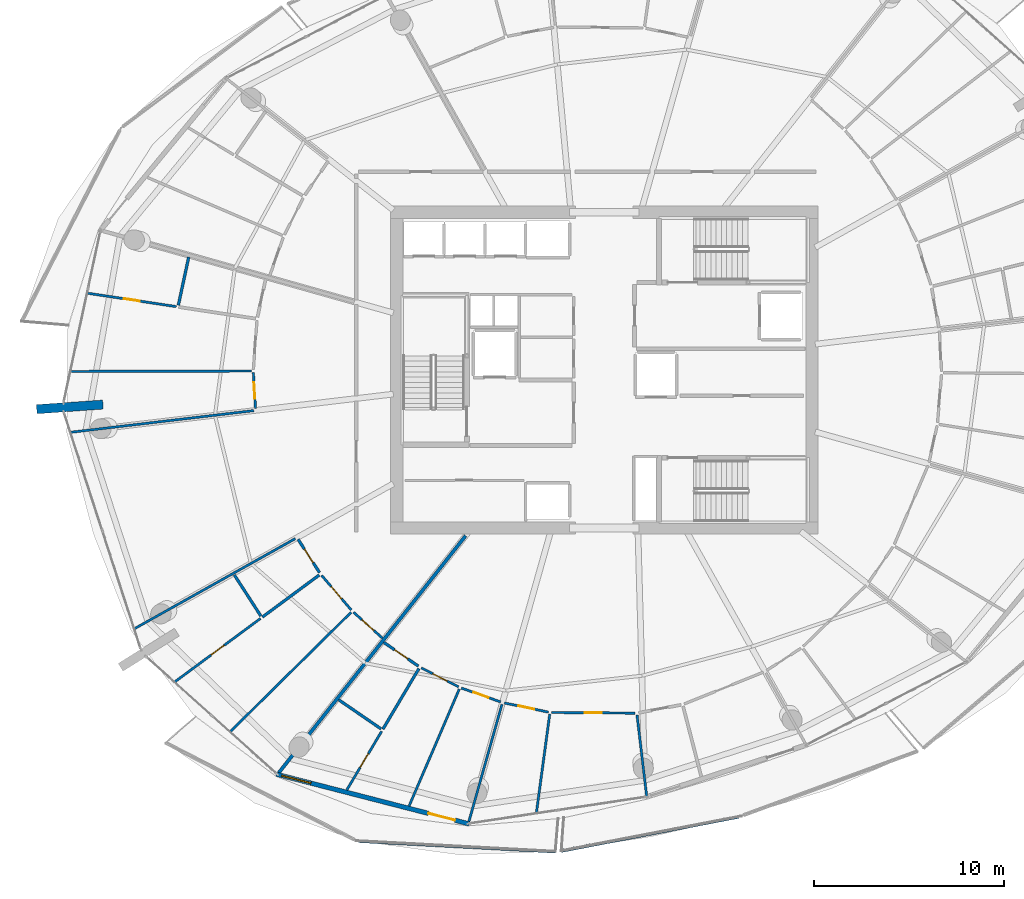
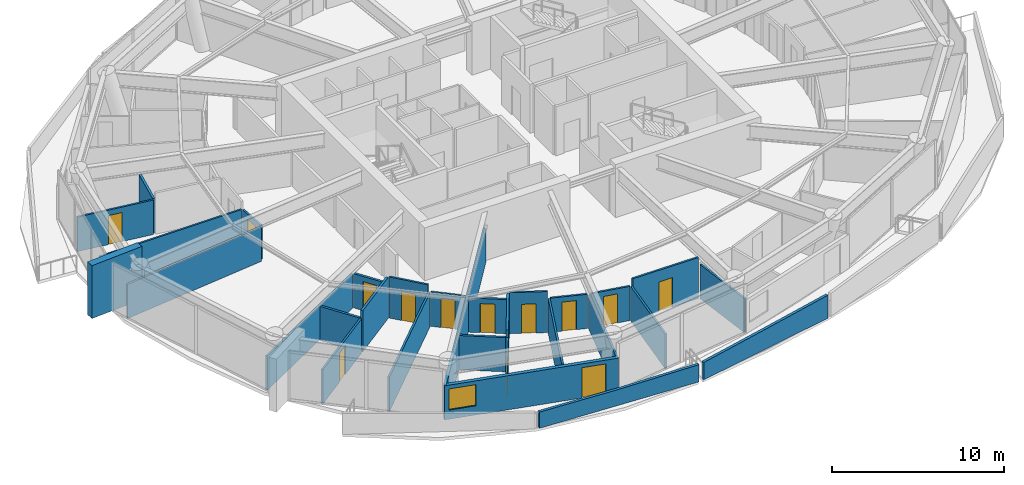
# One storey, part 10 of 20: 30 walls, 13 doors, 1 window, 14 openings.
"""IFC4 building model written with IfcOpenShell, lengths in metres."""

import ifcopenshell
import ifcopenshell.guid

model = None  # the IFC model being written
_history = None  # IfcOwnerHistory: only IFC2X3 demands one
_inside = {}  # id of a spatial element -> (the spatial element, [elements in it])
_under = {}  # id of a project, library or spatial element -> (it, [spatial elements below it])
_declared = {}  # id of a project -> (the project, [libraries it declares])
_typed = {}  # id of a type object -> (the type object, [elements of that type])
_made_of = {}  # id of a material, layer set ... -> (it, [elements and type objects made of it])


def new_model(schema):
    """Start an empty IFC model of exactly this schema.

    Asked for "IFC4X3", IfcOpenShell would pick the latest addendum, in which some entities
    have other attributes; the version numbers below select the first issue.
    IFC2X3 requires an IfcOwnerHistory on every rooted entity: one is made here for all.
    """
    global model, _history
    if schema == "IFC4X3":
        model = ifcopenshell.file(schema_version=(4, 3, 0, 0))
    else:
        model = ifcopenshell.file(schema=schema)
    _inside.clear()
    _under.clear()
    _declared.clear()
    _typed.clear()
    _made_of.clear()
    _history = None
    if model.schema == "IFC2X3":
        org = make("IfcOrganization", Name="unknown")
        user = make(
            "IfcPersonAndOrganization",
            ThePerson=make("IfcPerson", FamilyName="unknown"),
            TheOrganization=org,
        )
        app = make(
            "IfcApplication",
            ApplicationDeveloper=org,
            Version="unknown",
            ApplicationFullName="unknown",
            ApplicationIdentifier="unknown",
        )
        _history = make(
            "IfcOwnerHistory",
            OwningUser=user,
            OwningApplication=app,
            ChangeAction="ADDED",
            CreationDate=0,
        )
    return model


def make(cls, **values):
    """One entity of the class cls with the attributes given. An attribute that is None is left unset."""
    return model.create_entity(
        cls, **{name: value for name, value in values.items() if value is not None}
    )


def rooted(cls, **values):
    """An entity with a GlobalId (a new one), such as an element, a storey or a relation."""
    return make(cls, GlobalId=ifcopenshell.guid.new(), OwnerHistory=_history, **values)


def si_unit(unit_type, name, prefix=None):
    """IfcSIUnit, for example si_unit("LENGTHUNIT", "METRE", prefix="MILLI")."""
    return make("IfcSIUnit", UnitType=unit_type, Prefix=prefix, Name=name)


def assignment(units):
    """IfcUnitAssignment: the units of a project."""
    return None if units is None else make("IfcUnitAssignment", Units=units)


def point(xyz):
    """IfcCartesianPoint."""
    return None if xyz is None else make("IfcCartesianPoint", Coordinates=xyz)


def direction(xyz):
    """IfcDirection."""
    return None if xyz is None else make("IfcDirection", DirectionRatios=xyz)


def frame(location, z_axis=None, x_axis=None):
    """IfcAxis2Placement3D, a coordinate frame: its origin and axes. An axis left out is left unset."""
    return make(
        "IfcAxis2Placement3D",
        Location=point(location),
        Axis=direction(z_axis),
        RefDirection=direction(x_axis),
    )


def frame_2d(location, x_axis=None):
    """IfcAxis2Placement2D, a coordinate frame in the plane: its origin and x axis."""
    return make(
        "IfcAxis2Placement2D", Location=point(location), RefDirection=direction(x_axis)
    )


def origin():
    """The frame at (0, 0, 0) with its axes left unset."""
    return frame((0.0, 0.0, 0.0))


def place(relative_to, where):
    """IfcLocalPlacement: puts the frame where relative to a parent placement (None: the world)."""
    return make(
        "IfcLocalPlacement", PlacementRelTo=relative_to, RelativePlacement=where
    )


def context(
    kind, dimensions, precision=None, world=None, true_north=None, identifier=None
):
    """IfcGeometricRepresentationContext, for example the 3D "Model" context."""
    return make(
        "IfcGeometricRepresentationContext",
        ContextIdentifier=identifier,
        ContextType=kind,
        CoordinateSpaceDimension=dimensions,
        Precision=precision,
        WorldCoordinateSystem=world,
        TrueNorth=true_north,
    )


def subcontext(parent, identifier, kind, view, scale=None):
    """IfcGeometricRepresentationSubContext, for example "Body" below "Model"."""
    return make(
        "IfcGeometricRepresentationSubContext",
        ContextIdentifier=identifier,
        ContextType=kind,
        ParentContext=parent,
        TargetScale=scale,
        TargetView=view,
    )


def project(units=None, contexts=None):
    """IfcProject with its units and contexts."""
    return rooted(
        "IfcProject",
        Name="project",
        RepresentationContexts=contexts,
        UnitsInContext=assignment(units),
    )


def spatial(cls, under=None, at=None, **own):
    """A site, building, storey or space (cls), placed at a placement, below another one or the project."""
    s = rooted(cls, ObjectPlacement=at, **own)
    if under is not None:
        _under.setdefault(under.id(), (under, []))[1].append(s)
    return s


def polyline(points):
    """IfcPolyline through the points."""
    return make("IfcPolyline", Points=[point(p) for p in points])


def profile(cls, at=None, kind="AREA", **sizes):
    """A parametric profile (cls). Its sizes go by their IFC names, for example OverallWidth=200.0."""
    return make(cls, ProfileType=kind, Position=at, **sizes)


def rectangle(**sizes):
    """IfcRectangleProfileDef."""
    return profile("IfcRectangleProfileDef", **sizes)


def outline(outer, holes=None, kind="AREA"):
    """IfcArbitraryClosedProfileDef: a profile drawn as a closed curve; with holes, ...WithVoids."""
    if holes is None:
        return make("IfcArbitraryClosedProfileDef", ProfileType=kind, OuterCurve=outer)
    return make(
        "IfcArbitraryProfileDefWithVoids",
        ProfileType=kind,
        OuterCurve=outer,
        InnerCurves=holes,
    )


def extrude(swept, where, along, depth):
    """IfcExtrudedAreaSolid: the profile swept, set in the frame where, extruded along a direction by depth."""
    return make(
        "IfcExtrudedAreaSolid",
        SweptArea=swept,
        Position=where,
        ExtrudedDirection=direction(along),
        Depth=depth,
    )


def shape(context_of_items, identifier, shape_type, items):
    """IfcShapeRepresentation: the items that make up one representation, for example the "Body"."""
    return make(
        "IfcShapeRepresentation",
        ContextOfItems=context_of_items,
        RepresentationIdentifier=identifier,
        RepresentationType=shape_type,
        Items=items,
    )


def material(Name=None, Category=None):
    """IfcMaterial."""
    return make("IfcMaterial", Name=Name, Category=Category)


def layer(
    of_material, thickness, ventilated=None, Name=None, Category=None, Priority=None
):
    """IfcMaterialLayer: one layer of a wall or slab, of a material (None: an air gap)."""
    return make(
        "IfcMaterialLayer",
        Material=of_material,
        LayerThickness=thickness,
        IsVentilated=ventilated,
        Name=Name,
        Category=Category,
        Priority=Priority,
    )


def layer_set(layers, Name=None):
    """IfcMaterialLayerSet."""
    return make("IfcMaterialLayerSet", MaterialLayers=layers, LayerSetName=Name)


def made_of(thing, what):
    """Note that an element or type object is made of a material, layer set ...; save() writes the relation."""
    if what is not None:
        _made_of.setdefault(what.id(), (what, []))[1].append(thing)
    return thing


def type_object(cls, material=None, **own):
    """A type object (cls), such as IfcWallType, which elements share."""
    return made_of(rooted(cls, **own), material)


def element(
    cls,
    number,
    at=None,
    inside=None,
    cuts=None,
    type_object=None,
    material=None,
    context=None,
    identifier="Body",
    shape_type=None,
    held_by="IfcProductDefinitionShape",
    body=None,
    shapes=None,
    **own,
):
    """One element of the class cls, such as IfcWall. Its Tag is "e" and its number.

    at: its placement. inside: the storey or other place that contains it. cuts: it is an
    opening in that element (IfcRelVoidsElement). A single representation is given by context,
    identifier, shape_type and body (its items); several are given by shapes. held_by: the class
    of the entity that holds the representations. save() writes the other relations.
    """
    e = rooted(cls, Tag="e%d" % number, ObjectPlacement=at, **own)
    if body is not None:
        shapes = [shape(context, identifier, shape_type, body)]
    if shapes is not None:
        e.Representation = make(held_by, Representations=shapes)
    if inside is not None:
        _inside.setdefault(inside.id(), (inside, []))[1].append(e)
    if cuts is not None:
        rooted(
            "IfcRelVoidsElement", RelatingBuildingElement=cuts, RelatedOpeningElement=e
        )
    if type_object is not None:
        _typed.setdefault(type_object.id(), (type_object, []))[1].append(e)
    return made_of(e, material)


def fill(opening, filler):
    """IfcRelFillsElement: the door or window that sits in an opening."""
    return rooted(
        "IfcRelFillsElement",
        RelatingOpeningElement=opening,
        RelatedBuildingElement=filler,
    )


def aggregate(whole, parts):
    """IfcRelAggregates: a whole, such as a stair, and the parts it consists of."""
    return rooted("IfcRelAggregates", RelatingObject=whole, RelatedObjects=parts)


def save(model, path):
    """Write the relations noted so far, then the file.

    IfcRelAggregates (storeys below a building ...), IfcRelContainedInSpatialStructure (elements
    in a storey), IfcRelDefinesByType, IfcRelAssociatesMaterial and IfcRelDeclares: one each for
    every whole, place, type object, material and project.
    """
    for whole, parts in _under.values():
        aggregate(whole, parts)
    for where, things in _inside.values():
        rooted(
            "IfcRelContainedInSpatialStructure",
            RelatedElements=things,
            RelatingStructure=where,
        )
    for kind, things in _typed.values():
        rooted("IfcRelDefinesByType", RelatedObjects=things, RelatingType=kind)
    for what, things in _made_of.values():
        rooted("IfcRelAssociatesMaterial", RelatedObjects=things, RelatingMaterial=what)
    for by, libraries in _declared.values():
        rooted("IfcRelDeclares", RelatingContext=by, RelatedDefinitions=libraries)
    model.write(path)


model = new_model("IFC4")

# Units and contexts
model_context = context("Model", 3, precision=1e-05, world=origin(), true_north=direction((0.0, 1.0)))
body_context = subcontext(model_context, "Body", "Model", "MODEL_VIEW")
ifc_project = project(units=[si_unit("LENGTHUNIT", "METRE"), si_unit("AREAUNIT", "SQUARE_METRE"), si_unit("VOLUMEUNIT", "CUBIC_METRE"), si_unit("PLANEANGLEUNIT", "RADIAN"), si_unit("MASSUNIT", "GRAM", prefix="KILO")], contexts=[model_context])

# Site, building, storey
site_placement = place(None, origin())
site = spatial("IfcSite", under=ifc_project, at=site_placement, CompositionType="ELEMENT")
building_placement = place(site_placement, origin())
building = spatial("IfcBuilding", under=site, at=building_placement, Name="Kazma Halo Residences", CompositionType="ELEMENT")
storey_placement = place(building_placement, frame((0.0, 0.0, 221.550048828125)))
storey = spatial("IfcBuildingStorey", under=building, at=storey_placement, Name="L56", CompositionType="ELEMENT", Elevation=221.550048828125)

# Walls
ifc_material_1 = material(Name="White Concrete C50/60 Balustrade", Category="concrete")
ifc_layer_1 = layer(ifc_material_1, 0.179931640625)
ifc_layer_set_1 = layer_set([ifc_layer_1], Name="White Concrete C50/60 Balustrade")
wall_type_1 = type_object("IfcWallType", Name="WL-BAL-WAVE-180", PredefinedType="PARAPET", material=ifc_layer_set_1)
wall_1_placement = place(storey_placement, frame((35.4716796875, 17.17041015625, 0.0), z_axis=(0.0, 0.0, 1.0), x_axis=(0.998572477619, -0.053413546421, 0.0)))
element("IfcWall", 1, at=wall_1_placement, inside=storey, type_object=wall_type_1, Name="L56 white wave balustrade wall SW.2", PredefinedType="PARAPET", context=body_context, shape_type="SweptSolid", body=[
    extrude(outline(polyline([(0.0, 0.0), (10.389404296875, 0.0), (10.38916015625, 1.223876953125), (5.194580078125, 1.126953125), (0.0, 1.14794921875), (0.0, 0.0)])), frame((0.0, 0.08984375, 0.0), z_axis=(0.0, -1.0, 0.0), x_axis=(1.0, 0.0, 0.0)), (0.0, 0.0, 1.0), 0.179931640625),
])
wall_2_placement = place(storey_placement, frame((46.16064453125, 16.648681640625, 0.0), z_axis=(0.0, 0.0, 1.0), x_axis=(0.981918699124, 0.189303112259, 0.0)))
element("IfcWall", 2, at=wall_2_placement, inside=storey, type_object=wall_type_1, Name="L56 white wave balustrade wall SSE.1", PredefinedType="PARAPET", context=body_context, shape_type="SweptSolid", body=[
    extrude(outline(polyline([(0.0, 0.0), (9.537109375, 0.0), (9.537109375, 1.6318359375), (4.7685546875, 1.41796875), (0.0, 1.23291015625), (0.0, 0.0)])), frame((0.0, 0.08984375, 0.0), z_axis=(0.0, -1.0, 0.0), x_axis=(1.0, 0.0, 0.0)), (0.0, 0.0, 1.0), 0.179931640625),
])
ifc_material_2 = material(Name="Pale Concrete C60/75", Category="concrete")
ifc_layer_2 = layer(ifc_material_2, 0.47998046875)
ifc_layer_set_2 = layer_set([ifc_layer_2], Name="Pale Concrete C60/75")
wall_type_2 = type_object("IfcWallType", Name="WL-BLADE-480", PredefinedType="SOLIDWALL", material=ifc_layer_set_2)
wall_3_placement = place(storey_placement, frame((21.9873046875, 40.180908203125, 0.0), z_axis=(0.0, 0.0, 1.0), x_axis=(-0.997568676264, -0.069690287244, 0.0)))
element("IfcWall", 3, at=wall_3_placement, inside=storey, type_object=wall_type_2, Name="L56 pale concrete structural blade fin wall BW-02", PredefinedType="SOLIDWALL", context=body_context, shape_type="SweptSolid", body=[
    extrude(rectangle(XDim=3.499755859375, YDim=0.47998046875, at=frame_2d((1.75, 0.0))), origin(), (0.0, 0.0, 1.0), 3.75),
])
ifc_material_3 = material(Name="Acoustic Twin-Stud Gypsum")
ifc_layer_3 = layer(ifc_material_3, 0.179931640625)
ifc_layer_set_3 = layer_set([ifc_layer_3], Name="Acoustic Twin-Stud Gypsum")
wall_type_3 = type_object("IfcWallType", Name="WL-DEM-180", PredefinedType="PARTITIONING", material=ifc_layer_set_3)
wall_4_placement = place(storey_placement, frame((41.11279296875, 33.263671875, 0.0), z_axis=(0.0, 0.0, 1.0), x_axis=(-0.619089233189, -0.785320648748, 0.0)))
element("IfcWall", 4, at=wall_4_placement, inside=storey, type_object=wall_type_3, Name="L56 apartment demising radial wall 09", PredefinedType="PARTITIONING", context=body_context, shape_type="SweptSolid", body=[
    extrude(rectangle(XDim=16.005615234375, YDim=0.179931640625, at=frame_2d((8.0029296875, 0.0))), origin(), (0.0, 0.0, 1.0), 2.427001953125),
])

# Wall, openings, door, window
ifc_material_4 = material(Name="Insulated Pale-Metal Composite Wall")
ifc_layer_4 = layer(ifc_material_4, 0.239990234375)
ifc_layer_set_4 = layer_set([ifc_layer_4], Name="Insulated Pale-Metal Composite Wall")
wall_type_4 = type_object("IfcWallType", Name="WL-EXT-HOST-240", PredefinedType="SOLIDWALL", material=ifc_layer_set_4)
wall_5_placement = place(storey_placement, frame((31.139892578125, 20.68701171875, 0.0), z_axis=(0.0, 0.0, 1.0), x_axis=(0.968374028006, -0.249502989727, 0.0)))
wall_5 = element("IfcWall", 5, at=wall_5_placement, inside=storey, type_object=wall_type_4, Name="L56 exterior terrace-access wall B10", PredefinedType="SOLIDWALL", context=body_context, shape_type="SweptSolid", body=[
    extrude(rectangle(XDim=10.494384765625, YDim=0.239990234375, at=frame_2d((5.2470703125, 0.0))), origin(), (0.0, 0.0, 1.0), 2.419921875),
])
opening_1_placement = place(wall_5_placement, frame((8.2744140625, 0.0, 0.0)))
opening_1 = element("IfcOpeningElement", 6, at=opening_1_placement, cuts=wall_5, Name="Opening DTR-1600", PredefinedType="OPENING", context=body_context, shape_type="SweptSolid", body=[
    extrude(rectangle(XDim=1.449951171875, YDim=2.14990234375, at=frame_2d((0.72509765625, 1.074951171875))), frame((0.0, 0.1298828125, 0.0), z_axis=(0.0, -1.0, 0.0), x_axis=(1.0, 0.0, 0.0)), (0.0, 0.0, 1.0), 0.260009765625),
])
opening_2_placement = place(wall_5_placement, frame((0.280029296875, 0.0, 0.64990234375)))
opening_2 = element("IfcOpeningElement", 7, at=opening_2_placement, cuts=wall_5, Name="Opening W-1800", PredefinedType="OPENING", context=body_context, shape_type="SweptSolid", body=[
    extrude(rectangle(XDim=1.60009765625, YDim=1.5, at=frame_2d((0.800048828125, 0.75))), frame((0.0, 0.1298828125, 0.0), z_axis=(0.0, -1.0, 0.0), x_axis=(1.0, 0.0, 0.0)), (0.0, 0.0, 1.0), 0.260009765625),
])
ifc_material_5 = material(Name="Aluminium AW-6063 T6 Double-Glazed Terrace Door", Category="aluminium")
door_type_1 = type_object("IfcDoorType", Name="DR-EXT-TERR-1600", OperationType="NOTDEFINED", PredefinedType="DOOR", material=ifc_material_5)
door_1_placement = place(opening_1_placement, origin())
door_1 = element("IfcDoor", 8, at=door_1_placement, inside=storey, type_object=door_type_1, Name="L56 B10 balcony terrace door", OperationType="DOUBLE_DOOR_SLIDING", OverallHeight=2.14990234375, OverallWidth=1.449951171875, PredefinedType="DOOR", context=body_context, shape_type="SweptSolid", body=[
    extrude(rectangle(XDim=1.449951171875, YDim=2.14990234375, at=frame_2d((0.72509765625, 1.074951171875))), frame((0.0, 0.02490234375, 0.0), z_axis=(0.0, -1.0, 0.0), x_axis=(1.0, 0.0, 0.0)), (0.0, 0.0, 1.0), 0.050048828125),
])
fill(opening_1, door_1)
ifc_material_6 = material(Name="Clear Triple-Silver Low-E Glass in Aluminium AW-6063 T6 Frame", Category="aluminium")
window_type = type_object("IfcWindowType", Name="WIN-RES-1800", PartitioningType="DOUBLE_PANEL_VERTICAL", PredefinedType="WINDOW", material=ifc_material_6)
window_placement = place(opening_2_placement, origin())
window = element("IfcWindow", 9, at=window_placement, inside=storey, type_object=window_type, Name="L56 B10 apartment window", OverallHeight=1.5, OverallWidth=1.60009765625, PartitioningType="SINGLE_PANEL", PredefinedType="WINDOW", context=body_context, shape_type="SweptSolid", body=[
    extrude(rectangle(XDim=1.60009765625, YDim=1.5, at=frame_2d((0.800048828125, 0.75))), frame((0.0, 0.030029296875, 0.0), z_axis=(0.0, -1.0, 0.0), x_axis=(1.0, 0.0, 0.0)), (0.0, 0.0, 1.0), 0.06005859375),
])
fill(opening_2, window)

# Wall
ifc_material_7 = material(Name="Gypsum Plasterboard Partition")
ifc_layer_5 = layer(ifc_material_7, 0.125)
ifc_layer_set_5 = layer_set([ifc_layer_5], Name="Gypsum Plasterboard Partition")
wall_type_5 = type_object("IfcWallType", Name="WL-PART-125", PredefinedType="PARTITIONING", material=ifc_layer_set_5)
wall_6_placement = place(storey_placement, frame((29.941162109375, 39.862548828125, 0.0), z_axis=(0.0, 0.0, 1.0), x_axis=(-0.993068152832, -0.117539966947, 0.0)))
element("IfcWall", 10, at=wall_6_placement, inside=storey, type_object=wall_type_5, Name="L56 Apartment 2 living radial partition 6", PredefinedType="PARTITIONING", context=body_context, shape_type="SweptSolid", body=[
    extrude(rectangle(XDim=9.71044921875, YDim=0.125, at=frame_2d((4.855224609375, 0.0))), origin(), (0.0, 0.0, 1.0), 2.427001953125),
])

# Wall, opening, door
wall_7_placement = place(storey_placement, frame((25.8564453125, 45.346923828125, 0.0), z_axis=(0.0, 0.0, 1.0), x_axis=(-0.988769177465, 0.149450706573, 0.0)))
wall_7 = element("IfcWall", 11, at=wall_7_placement, inside=storey, type_object=wall_type_5, Name="L56 Apartment 2 Utility Laundry Room partition wall", PredefinedType="PARTITIONING", context=body_context, shape_type="SweptSolid", body=[
    extrude(rectangle(XDim=4.73095703125, YDim=0.125, at=frame_2d((2.365478515625, 0.0))), origin(), (0.0, 0.0, 1.0), 2.445068359375),
])
opening_3_placement = place(wall_7_placement, frame((1.9404296875, 0.0, 0.0)))
opening_3 = element("IfcOpeningElement", 12, at=opening_3_placement, cuts=wall_7, Name="Opening DB-900", PredefinedType="OPENING", context=body_context, shape_type="SweptSolid", body=[
    extrude(rectangle(XDim=0.85009765625, YDim=2.06005859375, at=frame_2d((0.425048828125, 1.030029296875))), frame((0.0, 0.072509765625, 0.0), z_axis=(0.0, -1.0, 0.0), x_axis=(1.0, 0.0, 0.0)), (0.0, 0.0, 1.0), 0.14501953125),
])
ifc_material_8 = material(Name="Moisture-Sealed Timber Leaf", Category="wood")
door_type_2 = type_object("IfcDoorType", Name="DR-BTH-900", OperationType="NOTDEFINED", PredefinedType="DOOR", material=ifc_material_8)
door_2_placement = place(opening_3_placement, origin())
door_2 = element("IfcDoor", 13, at=door_2_placement, inside=storey, type_object=door_type_2, Name="L56 Apartment 2 Utility Laundry Room door", OperationType="SINGLE_SWING_RIGHT", OverallHeight=2.06005859375, OverallWidth=0.85009765625, PredefinedType="DOOR", context=body_context, shape_type="SweptSolid", body=[
    extrude(rectangle(XDim=0.85009765625, YDim=2.06005859375, at=frame_2d((0.425048828125, 1.030029296875))), frame((0.0, 0.02490234375, 0.0), z_axis=(0.0, -1.0, 0.0), x_axis=(1.0, 0.0, 0.0)), (0.0, 0.0, 1.0), 0.050048828125),
])
fill(opening_3, door_2)

# Wall
wall_8_placement = place(storey_placement, frame((29.8251953125, 41.951904296875, 0.0), z_axis=(0.0, 0.0, 1.0), x_axis=(-0.999996520366, -0.002638040201, 0.0)))
element("IfcWall", 14, at=wall_8_placement, inside=storey, type_object=wall_type_5, Name="L56 Apartment 2 suite divider 6", PredefinedType="PARTITIONING", context=body_context, shape_type="SweptSolid", body=[
    extrude(rectangle(XDim=9.5322265625, YDim=0.125, at=frame_2d((4.76611328125, 0.0))), origin(), (0.0, 0.0, 1.0), 2.445068359375),
])

# Wall, opening, door
wall_9_placement = place(storey_placement, frame((29.919921875, 41.872314453125, 0.0), z_axis=(0.0, 0.0, 1.0), x_axis=(0.060212096345, -0.998185605714, 0.0)))
wall_9 = element("IfcWall", 15, at=wall_9_placement, inside=storey, type_object=wall_type_5, Name="L56 Apartment 2 Primary Bedroom hall wall", PredefinedType="PARTITIONING", context=body_context, shape_type="SweptSolid", body=[
    extrude(rectangle(XDim=1.901611328125, YDim=0.125, at=frame_2d((0.95068359375, 0.0))), origin(), (0.0, 0.0, 1.0), 2.427001953125),
])
opening_4_placement = place(wall_9_placement, frame((0.52587890625, 0.0, 0.0)))
opening_4 = element("IfcOpeningElement", 16, at=opening_4_placement, cuts=wall_9, Name="Opening DB-900", PredefinedType="OPENING", context=body_context, shape_type="SweptSolid", body=[
    extrude(rectangle(XDim=0.85009765625, YDim=2.06005859375, at=frame_2d((0.425048828125, 1.030029296875))), frame((0.0, 0.072509765625, 0.0), z_axis=(0.0, -1.0, 0.0), x_axis=(1.0, 0.0, 0.0)), (0.0, 0.0, 1.0), 0.14501953125),
])
door_3_placement = place(opening_4_placement, origin())
door_3 = element("IfcDoor", 17, at=door_3_placement, inside=storey, type_object=door_type_2, Name="L56 Apartment 2 Primary Bedroom door", OperationType="SINGLE_SWING_RIGHT", OverallHeight=2.06005859375, OverallWidth=0.85009765625, PredefinedType="DOOR", context=body_context, shape_type="SweptSolid", body=[
    extrude(rectangle(XDim=0.85009765625, YDim=2.06005859375, at=frame_2d((0.425048828125, 1.030029296875))), frame((0.0, 0.02490234375, 0.0), z_axis=(0.0, -1.0, 0.0), x_axis=(1.0, 0.0, 0.0)), (0.0, 0.0, 1.0), 0.050048828125),
])
fill(opening_4, door_3)

# Wall
wall_10_placement = place(storey_placement, frame((32.1337890625, 33.114501953125, 0.0), z_axis=(0.0, 0.0, 1.0), x_axis=(-0.872496583505, -0.488620212202, 0.0)))
element("IfcWall", 18, at=wall_10_placement, inside=storey, type_object=wall_type_5, Name="L56 Apartment 2 radial partition 8", PredefinedType="PARTITIONING", context=body_context, shape_type="SweptSolid", body=[
    extrude(rectangle(XDim=9.710205078125, YDim=0.125, at=frame_2d((4.85498046875, 0.0))), origin(), (0.0, 0.0, 1.0), 2.427001953125),
])

# Wall, opening, door
wall_11_placement = place(storey_placement, frame((30.2939453125, 28.900634765625, 0.0), z_axis=(0.0, 0.0, 1.0), x_axis=(-0.803900511417, -0.594763791554, 0.0)))
wall_11 = element("IfcWall", 19, at=wall_11_placement, inside=storey, type_object=wall_type_5, Name="L56 Apartment 2 West Walk-In Wardrobe partition wall", PredefinedType="PARTITIONING", context=body_context, shape_type="SweptSolid", body=[
    extrude(rectangle(XDim=5.6162109375, YDim=0.125, at=frame_2d((2.80810546875, 0.0))), origin(), (0.0, 0.0, 1.0), 2.445068359375),
])
opening_5_placement = place(wall_11_placement, frame((2.383056640625, 0.0, 0.0)))
opening_5 = element("IfcOpeningElement", 20, at=opening_5_placement, cuts=wall_11, Name="Opening DB-900", PredefinedType="OPENING", context=body_context, shape_type="SweptSolid", body=[
    extrude(rectangle(XDim=0.85009765625, YDim=2.06005859375, at=frame_2d((0.425048828125, 1.030029296875))), frame((0.0, 0.072509765625, 0.0), z_axis=(0.0, -1.0, 0.0), x_axis=(1.0, 0.0, 0.0)), (0.0, 0.0, 1.0), 0.14501953125),
])
door_4_placement = place(opening_5_placement, origin())
door_4 = element("IfcDoor", 21, at=door_4_placement, inside=storey, type_object=door_type_2, Name="L56 Apartment 2 West Walk-In Wardrobe door", OperationType="SINGLE_SWING_RIGHT", OverallHeight=2.06005859375, OverallWidth=0.85009765625, PredefinedType="DOOR", context=body_context, shape_type="SweptSolid", body=[
    extrude(rectangle(XDim=0.85009765625, YDim=2.06005859375, at=frame_2d((0.425048828125, 1.030029296875))), frame((0.0, 0.02490234375, 0.0), z_axis=(0.0, -1.0, 0.0), x_axis=(1.0, 0.0, 0.0)), (0.0, 0.0, 1.0), 0.050048828125),
])
fill(opening_5, door_4)

# Wall
wall_12_placement = place(storey_placement, frame((35.071533203125, 29.2255859375, 0.0), z_axis=(0.0, 0.0, 1.0), x_axis=(-0.711336156962, -0.702851955819, 0.0)))
element("IfcWall", 22, at=wall_12_placement, inside=storey, type_object=wall_type_5, Name="L56 Apartment 2 suite divider 8", PredefinedType="PARTITIONING", context=body_context, shape_type="SweptSolid", body=[
    extrude(rectangle(XDim=8.94921875, YDim=0.125, at=frame_2d((4.474609375, 0.0))), origin(), (0.0, 0.0, 1.0), 2.445068359375),
])

# Wall, opening, door
wall_13_placement = place(storey_placement, frame((33.519775390625, 31.175537109375, 0.0), z_axis=(0.0, 0.0, 1.0), x_axis=(0.650465139948, -0.759536109551, 0.0)))
wall_13 = element("IfcWall", 23, at=wall_13_placement, inside=storey, type_object=wall_type_5, Name="L56 Apartment 2 North Private Study hall wall", PredefinedType="PARTITIONING", context=body_context, shape_type="SweptSolid", body=[
    extrude(rectangle(XDim=2.404052734375, YDim=0.125, at=frame_2d((1.2021484375, 0.0))), origin(), (0.0, 0.0, 1.0), 2.909912109375),
])
opening_6_placement = place(wall_13_placement, frame((0.77685546875, 0.0, 0.0)))
opening_6 = element("IfcOpeningElement", 24, at=opening_6_placement, cuts=wall_13, Name="Opening DB-900", PredefinedType="OPENING", context=body_context, shape_type="SweptSolid", body=[
    extrude(rectangle(XDim=0.85009765625, YDim=2.06005859375, at=frame_2d((0.425048828125, 1.030029296875))), frame((0.0, 0.072509765625, 0.0), z_axis=(0.0, -1.0, 0.0), x_axis=(1.0, 0.0, 0.0)), (0.0, 0.0, 1.0), 0.14501953125),
])
door_5_placement = place(opening_6_placement, origin())
door_5 = element("IfcDoor", 25, at=door_5_placement, inside=storey, type_object=door_type_2, Name="L56 Apartment 2 North Private Study door", OperationType="SINGLE_SWING_LEFT", OverallHeight=2.06005859375, OverallWidth=0.85009765625, PredefinedType="DOOR", context=body_context, shape_type="SweptSolid", body=[
    extrude(rectangle(XDim=0.85009765625, YDim=2.06005859375, at=frame_2d((0.425048828125, 1.030029296875))), frame((0.0, 0.02490234375, 0.0), z_axis=(0.0, -1.0, 0.0), x_axis=(1.0, 0.0, 0.0)), (0.0, 0.0, 1.0), 0.050048828125),
])
fill(opening_6, door_5)

wall_14_placement = place(storey_placement, frame((35.195068359375, 29.235595703125, 0.0), z_axis=(0.0, 0.0, 1.0), x_axis=(0.745455386239, -0.666555524414, 0.0)))
wall_14 = element("IfcWall", 26, at=wall_14_placement, inside=storey, type_object=wall_type_5, Name="L56 Apartment 2 South Master Bedroom hall wall", PredefinedType="PARTITIONING", context=body_context, shape_type="SweptSolid", body=[
    extrude(rectangle(XDim=2.0576171875, YDim=0.125, at=frame_2d((1.02880859375, 0.0))), origin(), (0.0, 0.0, 1.0), 2.427001953125),
])
opening_7_placement = place(wall_14_placement, frame((0.60400390625, 0.0, 0.0)))
opening_7 = element("IfcOpeningElement", 27, at=opening_7_placement, cuts=wall_14, Name="Opening DB-900", PredefinedType="OPENING", context=body_context, shape_type="SweptSolid", body=[
    extrude(rectangle(XDim=0.85009765625, YDim=2.06005859375, at=frame_2d((0.425048828125, 1.030029296875))), frame((0.0, 0.072509765625, 0.0), z_axis=(0.0, -1.0, 0.0), x_axis=(1.0, 0.0, 0.0)), (0.0, 0.0, 1.0), 0.14501953125),
])
door_6_placement = place(opening_7_placement, origin())
door_6 = element("IfcDoor", 28, at=door_6_placement, inside=storey, type_object=door_type_2, Name="L56 Apartment 2 South Master Bedroom door", OperationType="SINGLE_SWING_RIGHT", OverallHeight=2.06005859375, OverallWidth=0.85009765625, PredefinedType="DOOR", context=body_context, shape_type="SweptSolid", body=[
    extrude(rectangle(XDim=0.85009765625, YDim=2.06005859375, at=frame_2d((0.425048828125, 1.030029296875))), frame((0.0, 0.02490234375, 0.0), z_axis=(0.0, -1.0, 0.0), x_axis=(1.0, 0.0, 0.0)), (0.0, 0.0, 1.0), 0.050048828125),
])
fill(opening_7, door_6)

wall_15_placement = place(storey_placement, frame((36.68359375, 22.95068359375, 0.0), z_axis=(0.0, 0.0, 1.0), x_axis=(-0.510700168426, -0.859758883623, 0.0)))
wall_15 = element("IfcWall", 29, at=wall_15_placement, inside=storey, type_object=wall_type_5, Name="L56 Apartment 3 Household Store Room partition wall", PredefinedType="PARTITIONING", context=body_context, shape_type="SweptSolid", body=[
    extrude(rectangle(XDim=3.599365234375, YDim=0.125, at=frame_2d((1.7998046875, 0.0))), origin(), (0.0, 0.0, 1.0), 2.445068359375),
])
opening_8_placement = place(wall_15_placement, frame((1.374755859375, 0.0, 0.0)))
opening_8 = element("IfcOpeningElement", 30, at=opening_8_placement, cuts=wall_15, Name="Opening DB-900", PredefinedType="OPENING", context=body_context, shape_type="SweptSolid", body=[
    extrude(rectangle(XDim=0.85009765625, YDim=2.06005859375, at=frame_2d((0.425048828125, 1.030029296875))), frame((0.0, 0.072509765625, 0.0), z_axis=(0.0, -1.0, 0.0), x_axis=(1.0, 0.0, 0.0)), (0.0, 0.0, 1.0), 0.14501953125),
])
door_7_placement = place(opening_8_placement, origin())
door_7 = element("IfcDoor", 31, at=door_7_placement, inside=storey, type_object=door_type_2, Name="L56 Apartment 3 Household Store Room door", OperationType="SINGLE_SWING_LEFT", OverallHeight=2.06005859375, OverallWidth=0.85009765625, PredefinedType="DOOR", context=body_context, shape_type="SweptSolid", body=[
    extrude(rectangle(XDim=0.85009765625, YDim=2.06005859375, at=frame_2d((0.425048828125, 1.030029296875))), frame((0.0, 0.02490234375, 0.0), z_axis=(0.0, -1.0, 0.0), x_axis=(1.0, 0.0, 0.0)), (0.0, 0.0, 1.0), 0.050048828125),
])
fill(opening_8, door_7)

# Wall
wall_16_placement = place(storey_placement, frame((40.77880859375, 25.17724609375, 0.0), z_axis=(0.0, 0.0, 1.0), x_axis=(-0.394428741877, -0.918926530024, 0.0)))
element("IfcWall", 32, at=wall_16_placement, inside=storey, type_object=wall_type_5, Name="L56 Apartment 3 suite divider 9", PredefinedType="PARTITIONING", context=body_context, shape_type="SweptSolid", body=[
    extrude(rectangle(XDim=6.70849609375, YDim=0.125, at=frame_2d((3.354248046875, 0.0))), origin(), (0.0, 0.0, 1.0), 2.445068359375),
])

# Wall, opening, door
wall_17_placement = place(storey_placement, frame((38.776123046875, 26.29736328125, 0.0), z_axis=(0.0, 0.0, 1.0), x_axis=(0.891241164498, -0.453529697709, 0.0)))
wall_17 = element("IfcWall", 33, at=wall_17_placement, inside=storey, type_object=wall_type_5, Name="L56 Apartment 3 Gourmet Kitchen hall wall", PredefinedType="PARTITIONING", context=body_context, shape_type="SweptSolid", body=[
    extrude(rectangle(XDim=2.20703125, YDim=0.125, at=frame_2d((1.103515625, 0.0))), origin(), (0.0, 0.0, 1.0), 2.909912109375),
])
opening_9_placement = place(wall_17_placement, frame((0.678466796875, 0.0, 0.0)))
opening_9 = element("IfcOpeningElement", 34, at=opening_9_placement, cuts=wall_17, Name="Opening DB-900", PredefinedType="OPENING", context=body_context, shape_type="SweptSolid", body=[
    extrude(rectangle(XDim=0.85009765625, YDim=2.06005859375, at=frame_2d((0.425048828125, 1.030029296875))), frame((0.0, 0.072509765625, 0.0), z_axis=(0.0, -1.0, 0.0), x_axis=(1.0, 0.0, 0.0)), (0.0, 0.0, 1.0), 0.14501953125),
])
door_8_placement = place(opening_9_placement, origin())
door_8 = element("IfcDoor", 35, at=door_8_placement, inside=storey, type_object=door_type_2, Name="L56 Apartment 3 Gourmet Kitchen door", OperationType="SINGLE_SWING_RIGHT", OverallHeight=2.06005859375, OverallWidth=0.85009765625, PredefinedType="DOOR", context=body_context, shape_type="SweptSolid", body=[
    extrude(rectangle(XDim=0.85009765625, YDim=2.06005859375, at=frame_2d((0.425048828125, 1.030029296875))), frame((0.0, 0.02490234375, 0.0), z_axis=(0.0, -1.0, 0.0), x_axis=(1.0, 0.0, 0.0)), (0.0, 0.0, 1.0), 0.050048828125),
])
fill(opening_9, door_8)

wall_18_placement = place(storey_placement, frame((40.889892578125, 25.2333984375, 0.0), z_axis=(0.0, 0.0, 1.0), x_axis=(0.942710981839, -0.333610558467, 0.0)))
wall_18 = element("IfcWall", 36, at=wall_18_placement, inside=storey, type_object=wall_type_5, Name="L56 Apartment 3 Primary Bedroom hall wall", PredefinedType="PARTITIONING", context=body_context, shape_type="SweptSolid", body=[
    extrude(rectangle(XDim=2.197021484375, YDim=0.125, at=frame_2d((1.0986328125, 0.0))), origin(), (0.0, 0.0, 1.0), 2.427001953125),
])
opening_10_placement = place(wall_18_placement, frame((0.673583984375, 0.0, 0.0)))
opening_10 = element("IfcOpeningElement", 37, at=opening_10_placement, cuts=wall_18, Name="Opening DB-900", PredefinedType="OPENING", context=body_context, shape_type="SweptSolid", body=[
    extrude(rectangle(XDim=0.85009765625, YDim=2.06005859375, at=frame_2d((0.425048828125, 1.030029296875))), frame((0.0, 0.072509765625, 0.0), z_axis=(0.0, -1.0, 0.0), x_axis=(1.0, 0.0, 0.0)), (0.0, 0.0, 1.0), 0.14501953125),
])
door_9_placement = place(opening_10_placement, origin())
door_9 = element("IfcDoor", 38, at=door_9_placement, inside=storey, type_object=door_type_2, Name="L56 Apartment 3 Primary Bedroom door", OperationType="SINGLE_SWING_LEFT", OverallHeight=2.06005859375, OverallWidth=0.85009765625, PredefinedType="DOOR", context=body_context, shape_type="SweptSolid", body=[
    extrude(rectangle(XDim=0.85009765625, YDim=2.06005859375, at=frame_2d((0.425048828125, 1.030029296875))), frame((0.0, 0.02490234375, 0.0), z_axis=(0.0, -1.0, 0.0), x_axis=(1.0, 0.0, 0.0)), (0.0, 0.0, 1.0), 0.050048828125),
])
fill(opening_10, door_9)

# Walls
wall_19_placement = place(storey_placement, frame((43.028076171875, 24.370849609375, 0.0), z_axis=(0.0, 0.0, 1.0), x_axis=(-0.271444786447, -0.962454013401, 0.0)))
element("IfcWall", 39, at=wall_19_placement, inside=storey, type_object=wall_type_5, Name="L56 Apartment 3 radial partition 10", PredefinedType="PARTITIONING", context=body_context, shape_type="SweptSolid", body=[
    extrude(rectangle(XDim=6.41015625, YDim=0.125, at=frame_2d((3.205078125, 0.0))), origin(), (0.0, 0.0, 1.0), 2.427001953125),
])
wall_20_placement = place(storey_placement, frame((45.548583984375, 23.85791015625, 0.0), z_axis=(0.0, 0.0, 1.0), x_axis=(-0.13386615137, -0.990999421552, 0.0)))
element("IfcWall", 40, at=wall_20_placement, inside=storey, type_object=wall_type_5, Name="L56 Apartment 3 mid-bay wall 10", PredefinedType="PARTITIONING", context=body_context, shape_type="SweptSolid", body=[
    extrude(rectangle(XDim=5.259765625, YDim=0.125, at=frame_2d((2.6298828125, 0.0))), origin(), (0.0, 0.0, 1.0), 2.445068359375),
])

# Wall, opening, door
wall_21_placement = place(storey_placement, frame((43.153076171875, 24.44677734375, 0.0), z_axis=(0.0, 0.0, 1.0), x_axis=(0.979138075321, -0.203196037012, 0.0)))
wall_21 = element("IfcWall", 41, at=wall_21_placement, inside=storey, type_object=wall_type_5, Name="L56 Apartment 3 East Bedroom hall wall", PredefinedType="PARTITIONING", context=body_context, shape_type="SweptSolid", body=[
    extrude(rectangle(XDim=2.37890625, YDim=0.125, at=frame_2d((1.189453125, 0.0))), origin(), (0.0, 0.0, 1.0), 2.427001953125),
])
opening_11_placement = place(wall_21_placement, frame((0.764404296875, 0.0, 0.0)))
opening_11 = element("IfcOpeningElement", 42, at=opening_11_placement, cuts=wall_21, Name="Opening DB-900", PredefinedType="OPENING", context=body_context, shape_type="SweptSolid", body=[
    extrude(rectangle(XDim=0.85009765625, YDim=2.06005859375, at=frame_2d((0.425048828125, 1.030029296875))), frame((0.0, 0.072509765625, 0.0), z_axis=(0.0, -1.0, 0.0), x_axis=(1.0, 0.0, 0.0)), (0.0, 0.0, 1.0), 0.14501953125),
])
door_10_placement = place(opening_11_placement, origin())
door_10 = element("IfcDoor", 43, at=door_10_placement, inside=storey, type_object=door_type_2, Name="L56 Apartment 3 East Bedroom door", OperationType="SINGLE_SWING_LEFT", OverallHeight=2.06005859375, OverallWidth=0.85009765625, PredefinedType="DOOR", context=body_context, shape_type="SweptSolid", body=[
    extrude(rectangle(XDim=0.85009765625, YDim=2.06005859375, at=frame_2d((0.425048828125, 1.030029296875))), frame((0.0, 0.02490234375, 0.0), z_axis=(0.0, -1.0, 0.0), x_axis=(1.0, 0.0, 0.0)), (0.0, 0.0, 1.0), 0.050048828125),
])
fill(opening_11, door_10)

wall_22_placement = place(storey_placement, frame((45.640625, 23.9462890625, 0.0), z_axis=(0.0, 0.0, 1.0), x_axis=(0.999966292936, -0.008210541545, 0.0)))
wall_22 = element("IfcWall", 44, at=wall_22_placement, inside=storey, type_object=wall_type_5, Name="L56 Apartment 3 West Bedroom hall wall", PredefinedType="PARTITIONING", context=body_context, shape_type="SweptSolid", body=[
    extrude(rectangle(XDim=4.40087890625, YDim=0.125, at=frame_2d((2.200439453125, 0.0))), origin(), (0.0, 0.0, 1.0), 2.909912109375),
])
opening_12_placement = place(wall_22_placement, frame((1.750244140625, 0.0, 0.0)))
opening_12 = element("IfcOpeningElement", 45, at=opening_12_placement, cuts=wall_22, Name="Opening DI-950", PredefinedType="OPENING", context=body_context, shape_type="SweptSolid", body=[
    extrude(rectangle(XDim=0.89990234375, YDim=2.080078125, at=frame_2d((0.449951171875, 1.0400390625))), frame((0.0, 0.072509765625, 0.0), z_axis=(0.0, -1.0, 0.0), x_axis=(1.0, 0.0, 0.0)), (0.0, 0.0, 1.0), 0.14501953125),
])
ifc_material_9 = material(Name="Timber Veneer Flush Leaf", Category="wood")
door_type_3 = type_object("IfcDoorType", Name="DR-INT-950", OperationType="NOTDEFINED", PredefinedType="DOOR", material=ifc_material_9)
door_11_placement = place(opening_12_placement, origin())
door_11 = element("IfcDoor", 46, at=door_11_placement, inside=storey, type_object=door_type_3, Name="L56 Apartment 3 West Bedroom door", OperationType="SINGLE_SWING_RIGHT", OverallHeight=2.080078125, OverallWidth=0.89990234375, PredefinedType="DOOR", context=body_context, shape_type="SweptSolid", body=[
    extrude(rectangle(XDim=0.89990234375, YDim=2.080078125, at=frame_2d((0.449951171875, 1.0400390625))), frame((0.0, 0.02490234375, 0.0), z_axis=(0.0, -1.0, 0.0), x_axis=(1.0, 0.0, 0.0)), (0.0, 0.0, 1.0), 0.050048828125),
])
fill(opening_12, door_11)

# Walls
wall_23_placement = place(storey_placement, frame((50.153076171875, 23.81005859375, 0.0), z_axis=(0.0, 0.0, 1.0), x_axis=(0.11747756829, -0.993075536376, 0.0)))
element("IfcWall", 47, at=wall_23_placement, inside=storey, type_object=wall_type_5, Name="L56 Apartment 3 radial partition 11", PredefinedType="PARTITIONING", context=body_context, shape_type="SweptSolid", body=[
    extrude(rectangle(XDim=4.318359375, YDim=0.125, at=frame_2d((2.1591796875, 0.0))), origin(), (0.0, 0.0, 1.0), 2.427001953125),
])
ifc_material_10 = material(Name="Moisture-Resistant Gypsum")
ifc_layer_6 = layer(ifc_material_10, 0.14990234375)
ifc_layer_set_6 = layer_set([ifc_layer_6], Name="Moisture-Resistant Gypsum")
wall_type_6 = type_object("IfcWallType", Name="WL-WET-150", PredefinedType="PARTITIONING", material=ifc_layer_set_6)
wall_24_placement = place(storey_placement, frame((26.51123046875, 47.956787109375, 0.0), z_axis=(0.0, 0.0, 1.0), x_axis=(-0.21075674418, -0.977538538771, 0.0)))
element("IfcWall", 48, at=wall_24_placement, inside=storey, type_object=wall_type_6, Name="L56 Apartment 2 Guest Bathroom back wall", PredefinedType="PARTITIONING", context=body_context, shape_type="SweptSolid", body=[
    extrude(rectangle(XDim=2.59375, YDim=0.14990234375, at=frame_2d((1.296875, 0.0))), origin(), (0.0, 0.0, 1.0), 2.427001953125),
])

# Wall, opening, door
wall_25_placement = place(storey_placement, frame((32.275146484375, 33.079345703125, 0.0), z_axis=(0.0, 0.0, 1.0), x_axis=(0.542840570976, -0.839835766387, 0.0)))
wall_25 = element("IfcWall", 49, at=wall_25_placement, inside=storey, type_object=wall_type_6, Name="L56 Apartment 2 East En-Suite Bathroom hall wall", PredefinedType="PARTITIONING", context=body_context, shape_type="SweptSolid", body=[
    extrude(rectangle(XDim=2.095458984375, YDim=0.14990234375, at=frame_2d((1.0478515625, 0.0))), origin(), (0.0, 0.0, 1.0), 2.427001953125),
])
opening_13_placement = place(wall_25_placement, frame((0.622802734375, 0.0, 0.0)))
opening_13 = element("IfcOpeningElement", 50, at=opening_13_placement, cuts=wall_25, Name="Opening DB-900", PredefinedType="OPENING", context=body_context, shape_type="SweptSolid", body=[
    extrude(rectangle(XDim=0.85009765625, YDim=2.06005859375, at=frame_2d((0.425048828125, 1.030029296875))), frame((0.0, 0.0849609375, 0.0), z_axis=(0.0, -1.0, 0.0), x_axis=(1.0, 0.0, 0.0)), (0.0, 0.0, 1.0), 0.169921875),
])
door_12_placement = place(opening_13_placement, origin())
door_12 = element("IfcDoor", 51, at=door_12_placement, inside=storey, type_object=door_type_2, Name="L56 Apartment 2 East En-Suite Bathroom door", OperationType="SINGLE_SWING_LEFT", OverallHeight=2.06005859375, OverallWidth=0.85009765625, PredefinedType="DOOR", context=body_context, shape_type="SweptSolid", body=[
    extrude(rectangle(XDim=0.85009765625, YDim=2.06005859375, at=frame_2d((0.425048828125, 1.030029296875))), frame((0.0, 0.02490234375, 0.0), z_axis=(0.0, -1.0, 0.0), x_axis=(1.0, 0.0, 0.0)), (0.0, 0.0, 1.0), 0.050048828125),
])
fill(opening_13, door_12)

# Walls
wall_26_placement = place(storey_placement, frame((28.916015625, 31.197998046875, 0.0), z_axis=(0.0, 0.0, 1.0), x_axis=(0.542815965197, -0.839851670194, 0.0)))
element("IfcWall", 52, at=wall_26_placement, inside=storey, type_object=wall_type_6, Name="L56 Apartment 2 East En-Suite Bathroom back wall", PredefinedType="PARTITIONING", context=body_context, shape_type="SweptSolid", body=[
    extrude(rectangle(XDim=2.58154296875, YDim=0.14990234375, at=frame_2d((1.290771484375, 0.0))), origin(), (0.0, 0.0, 1.0), 2.427001953125),
])
wall_27_placement = place(storey_placement, frame((33.388916015625, 31.1904296875, 0.0), z_axis=(0.0, 0.0, 1.0), x_axis=(-0.803881437267, -0.59478957188, 0.0)))
element("IfcWall", 53, at=wall_27_placement, inside=storey, type_object=wall_type_6, Name="L56 Apartment 2 East En-Suite Bathroom side wall", PredefinedType="PARTITIONING", context=body_context, shape_type="SweptSolid", body=[
    extrude(rectangle(XDim=3.719970703125, YDim=0.14990234375, at=frame_2d((1.85986328125, 0.0))), origin(), (0.0, 0.0, 1.0), 2.909912109375),
])

# Wall, opening, door
wall_28_placement = place(storey_placement, frame((36.804443359375, 27.63720703125, 0.0), z_axis=(0.0, 0.0, 1.0), x_axis=(0.824339072275, -0.566096364518, 0.0)))
wall_28 = element("IfcWall", 54, at=wall_28_placement, inside=storey, type_object=wall_type_6, Name="L56 Apartment 3 Guest Bathroom hall wall", PredefinedType="PARTITIONING", context=body_context, shape_type="SweptSolid", body=[
    extrude(rectangle(XDim=2.20458984375, YDim=0.14990234375, at=frame_2d((1.102294921875, 0.0))), origin(), (0.0, 0.0, 1.0), 2.427001953125),
])
opening_14_placement = place(wall_28_placement, frame((0.677490234375, 0.0, 0.0)))
opening_14 = element("IfcOpeningElement", 55, at=opening_14_placement, cuts=wall_28, Name="Opening DB-900", PredefinedType="OPENING", context=body_context, shape_type="SweptSolid", body=[
    extrude(rectangle(XDim=0.85009765625, YDim=2.06005859375, at=frame_2d((0.425048828125, 1.030029296875))), frame((0.0, 0.0849609375, 0.0), z_axis=(0.0, -1.0, 0.0), x_axis=(1.0, 0.0, 0.0)), (0.0, 0.0, 1.0), 0.169921875),
])
door_13_placement = place(opening_14_placement, origin())
door_13 = element("IfcDoor", 56, at=door_13_placement, inside=storey, type_object=door_type_2, Name="L56 Apartment 3 Guest Bathroom door", OperationType="SINGLE_SWING_RIGHT", OverallHeight=2.06005859375, OverallWidth=0.85009765625, PredefinedType="DOOR", context=body_context, shape_type="SweptSolid", body=[
    extrude(rectangle(XDim=0.85009765625, YDim=2.06005859375, at=frame_2d((0.425048828125, 1.030029296875))), frame((0.0, 0.02490234375, 0.0), z_axis=(0.0, -1.0, 0.0), x_axis=(1.0, 0.0, 0.0)), (0.0, 0.0, 1.0), 0.050048828125),
])
fill(opening_14, door_13)

# Walls
wall_29_placement = place(storey_placement, frame((34.4208984375, 24.61376953125, 0.0), z_axis=(0.0, 0.0, 1.0), x_axis=(0.824322992765, -0.566119778491, 0.0)))
element("IfcWall", 57, at=wall_29_placement, inside=storey, type_object=wall_type_6, Name="L56 Apartment 3 Guest Bathroom back wall", PredefinedType="PARTITIONING", context=body_context, shape_type="SweptSolid", body=[
    extrude(rectangle(XDim=2.7109375, YDim=0.14990234375, at=frame_2d((1.35546875, 0.0))), origin(), (0.0, 0.0, 1.0), 2.427001953125),
])
wall_30_placement = place(storey_placement, frame((38.64990234375, 26.2607421875, 0.0), z_axis=(0.0, 0.0, 1.0), x_axis=(-0.510726768545, -0.859743082491, 0.0)))
element("IfcWall", 58, at=wall_30_placement, inside=storey, type_object=wall_type_6, Name="L56 Apartment 3 Guest Bathroom side wall", PredefinedType="PARTITIONING", context=body_context, shape_type="SweptSolid", body=[
    extrude(rectangle(XDim=3.719970703125, YDim=0.14990234375, at=frame_2d((1.85986328125, 0.0))), origin(), (0.0, 0.0, 1.0), 2.909912109375),
])

save(model, "model.ifc")
